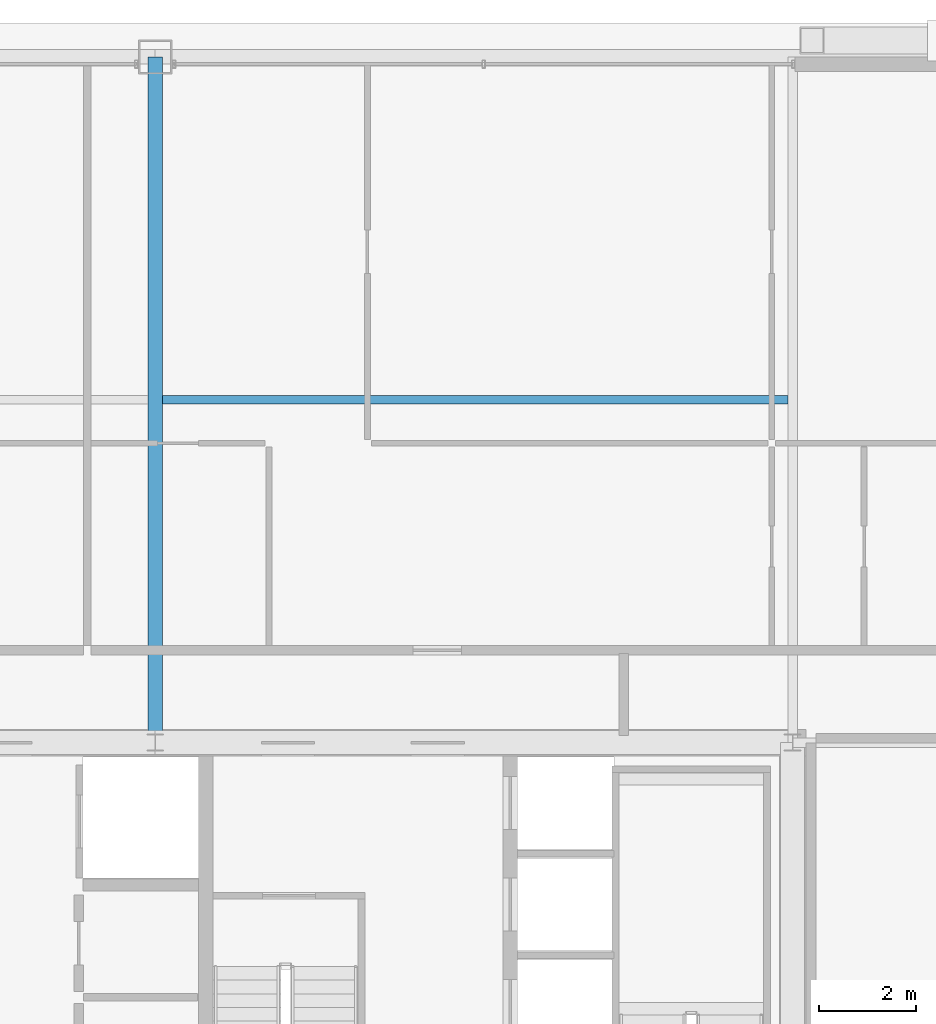
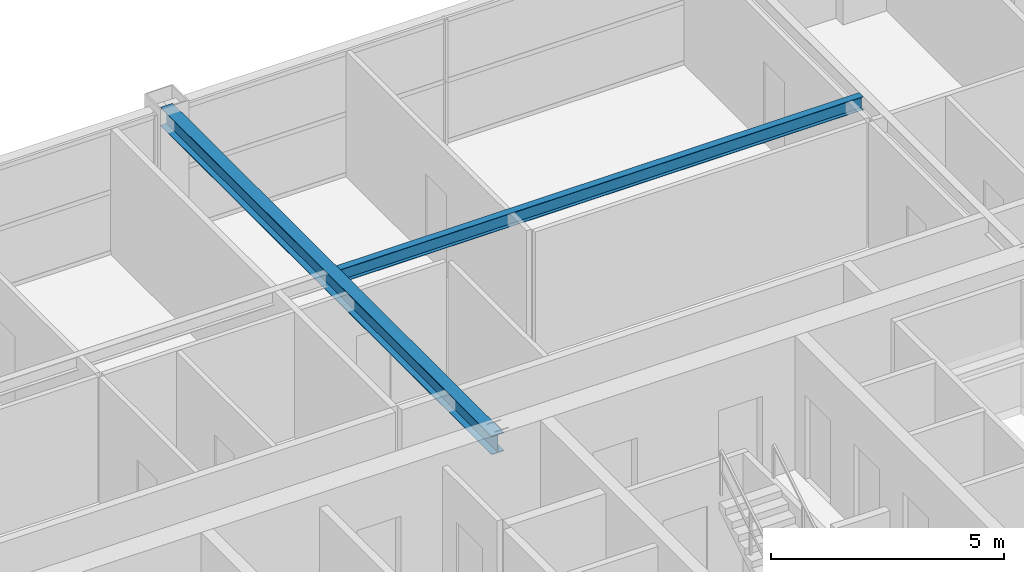
# One storey, part 27 of 37: 2 beams.
"""IFC4 building model written with IfcOpenShell, lengths in metres."""

from ifc_helpers import new_model, si_unit, direction, frame, origin, origin_2d, place, context, subcontext, project, spatial, i_section, extrude, source, transform, mapped, material, material_profile, profile_set, type_object, element, save


model = new_model("IFC4")

# Units and contexts
model_context = context("Model", 3, precision=1e-05, world=origin(), true_north=direction((0.0, 1.0)))
body_context = subcontext(model_context, "Body", "Model", "MODEL_VIEW")
ifc_project = project(units=[si_unit("LENGTHUNIT", "METRE"), si_unit("AREAUNIT", "SQUARE_METRE"), si_unit("VOLUMEUNIT", "CUBIC_METRE"), si_unit("PLANEANGLEUNIT", "RADIAN"), si_unit("MASSUNIT", "GRAM", prefix="KILO"), si_unit("THERMODYNAMICTEMPERATUREUNIT", "KELVIN"), si_unit("POWERUNIT", "WATT")], contexts=[model_context])

# Site, building, storey
site_placement = place(None, origin())
site = spatial("IfcSite", under=ifc_project, at=site_placement, CompositionType="ELEMENT")
building_placement = place(site_placement, origin())
building = spatial("IfcBuilding", under=site, at=building_placement, Name="Yuzanri Waterfront Tower", CompositionType="ELEMENT")
storey_placement = place(building_placement, frame((0.0, 0.0, 278.60009765625)))
storey = spatial("IfcBuildingStorey", under=building, at=storey_placement, Name="L74", CompositionType="ELEMENT", Elevation=278.60009765625)

# Beams
ifc_material_1 = material(Name="Steel Q355B", Category="steel")
ifc_material_profile_1 = material_profile(ifc_material_1, i_section(OverallWidth=0.300048828125, OverallDepth=0.488037109375, WebThickness=0.010986328125, FlangeThickness=0.01806640625, at=origin_2d()), Name="HM 488x300x11x18")
ifc_profile_set_1 = profile_set([ifc_material_profile_1], Name="Steel Q355B")
beam_type_1 = type_object("IfcBeamType", Name="Primary Floor Girder Q355B HM 488x300", PredefinedType="BEAM", material=ifc_profile_set_1)
shared_shape_1 = source(origin(), body_context, "Body", "SweptSolid", [
    extrude(i_section(OverallWidth=0.300048828125, OverallDepth=0.488037109375, WebThickness=0.010986328125, FlangeThickness=0.01806640625, at=origin_2d()), origin(), (0.0, 0.0, 1.0), 14.199951171875),
])
beam_1_placement = place(storey_placement, frame((37.0, 32.199951171875, 3.035888671875), z_axis=(0.0, 1.0, 0.0), x_axis=(-1.0, 0.0, 0.0)))
element("IfcBeam", 1, at=beam_1_placement, inside=storey, type_object=beam_type_1, Name="L74 North Grid Girder", PredefinedType="BEAM", context=body_context, shape_type="MappedRepresentation", body=[
    mapped(shared_shape_1, transform((0.0, 0.0, 0.0), scale=1.0)),
])
ifc_material_2 = material(Name="Steel Q355B", Category="steel")
ifc_material_profile_2 = material_profile(ifc_material_2, i_section(OverallWidth=0.175048828125, OverallDepth=0.35009765625, WebThickness=0.007080078125, FlangeThickness=0.010986328125, at=origin_2d()), Name="HN 350x175x7x11")
ifc_profile_set_2 = profile_set([ifc_material_profile_2], Name="Steel Q355B")
beam_type_2 = type_object("IfcBeamType", Name="Floor Joist Q355B HN 350x175", PredefinedType="JOIST", material=ifc_profile_set_2)
shared_shape_2 = source(origin(), body_context, "Body", "SweptSolid", [
    extrude(i_section(OverallWidth=0.175048828125, OverallDepth=0.35009765625, WebThickness=0.007080078125, FlangeThickness=0.010986328125, at=origin_2d()), origin(), (0.0, 0.0, 1.0), 12.9501953125),
])
beam_2_placement = place(storey_placement, frame((37.14990234375, 39.300048828125, 3.10498046875), z_axis=(1.0, 0.0, 0.0), x_axis=(0.0, 1.0, 0.0)))
element("IfcBeam", 2, at=beam_2_placement, inside=storey, type_object=beam_type_2, Name="L74 North Bay Joist E", PredefinedType="JOIST", context=body_context, shape_type="MappedRepresentation", body=[
    mapped(shared_shape_2, transform((0.0, 0.0, 0.0), scale=1.0)),
])

save(model, "model.ifc")
